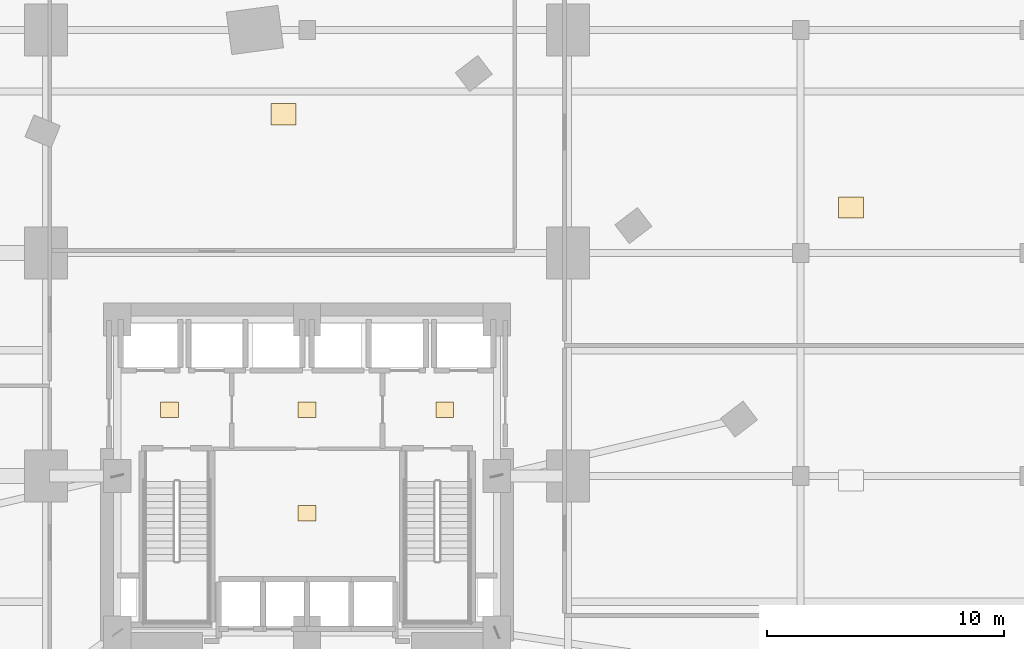
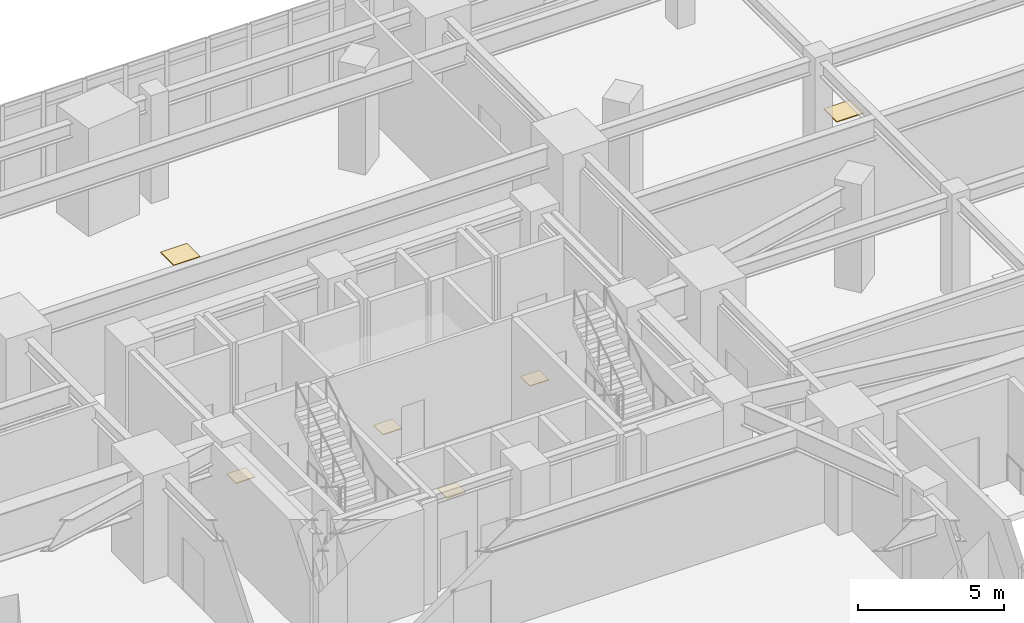
# One storey, part 20 of 20: 6 coverings.
"""IFC4 building model written with IfcOpenShell, lengths in metres."""

from ifc_helpers import new_model, si_unit, direction, frame, origin, origin_2d, place, context, subcontext, project, spatial, rectangle, extrude, material, layer, layer_set, type_object, element, save


model = new_model("IFC4")

# Units and contexts
model_context = context("Model", 3, precision=1e-05, world=origin(), true_north=direction((0.0, 1.0)))
body_context = subcontext(model_context, "Body", "Model", "MODEL_VIEW")
ifc_project = project(units=[si_unit("LENGTHUNIT", "METRE"), si_unit("AREAUNIT", "SQUARE_METRE"), si_unit("VOLUMEUNIT", "CUBIC_METRE"), si_unit("PLANEANGLEUNIT", "RADIAN"), si_unit("MASSUNIT", "GRAM", prefix="KILO")], contexts=[model_context])

# Site, building, storey
site_placement = place(None, origin())
site = spatial("IfcSite", under=ifc_project, at=site_placement, CompositionType="ELEMENT")
building_placement = place(site_placement, origin())
building = spatial("IfcBuilding", under=site, at=building_placement, Name="Ndelora Gate Hotel", CompositionType="ELEMENT")
storey_placement = place(building_placement, frame((0.0, 0.0, 26.0)))
storey = spatial("IfcBuildingStorey", under=building, at=storey_placement, Name="L05", CompositionType="ELEMENT", Elevation=26.0)

# Coverings
ifc_material_1 = material(Name="Engineered Highland Oak Parquet", Category="wood")
ifc_layer_1 = layer(ifc_material_1, 0.030029296875)
ifc_layer_set_1 = layer_set([ifc_layer_1], Name="Engineered Highland Oak Parquet")
covering_type_1 = type_object("IfcCoveringType", Name="COV-FLR-PARQ", PredefinedType="FLOORING", material=ifc_layer_set_1)
for number, where, z_axis, x_axis, name in (
    (1, (22.925048828125, 11.318603515625, 0.0), (0.0, 0.0, 1.0), (1.0, 0.0, 0.0), "L05 Podium Conservatory Tea Salon Oak Parquet Flooring"),
    (2, (-1.0, 15.25, 0.0), (0.0, 0.0, 1.0), (1.0, 0.0, 0.0), "L05 Conference Delegate Salon Oak Parquet Flooring"),
):
    element("IfcCovering", number, at=place(storey_placement, frame(where, z_axis=z_axis, x_axis=x_axis)), inside=storey, type_object=covering_type_1, Name=name, PredefinedType="FLOORING", context=body_context, shape_type="SweptSolid", body=[
        extrude(rectangle(XDim=1.050048828125, YDim=0.89990234375, at=origin_2d()), origin(), (0.0, 0.0, 1.0), 0.030029296875),
    ])
ifc_material_2 = material(Name="Non-Slip Porcelain Wet-Room Tile", Category="ceramic")
ifc_layer_2 = layer(ifc_material_2, 0.02490234375)
ifc_layer_set_2 = layer_set([ifc_layer_2], Name="Non-Slip Porcelain Wet-Room Tile")
covering_type_2 = type_object("IfcCoveringType", Name="COV-FLR-TILE", PredefinedType="FLOORING", material=ifc_layer_set_2)
for number, where, z_axis, x_axis, name in (
    (3, (-5.800048828125, 2.800048828125, 0.0), (0.0, 0.0, 1.0), (1.0, 0.0, 0.0), "L05 Firefighting Lift Lobby West Porcelain Tile Flooring"),
    (4, (5.800048828125, 2.800048828125, 0.0), (0.0, 0.0, 1.0), (1.0, 0.0, 0.0), "L05 Firefighting Lift Lobby East Porcelain Tile Flooring"),
    (5, (0.0, 2.800048828125, 0.0), (0.0, 0.0, 1.0), (1.0, 0.0, 0.0), "L05 Central Passenger Lift Lobby Porcelain Tile Flooring"),
    (6, (0.0, -1.574951171875, 0.0), (0.0, 0.0, 1.0), (1.0, 0.0, 0.0), "L05 Core Electrical and Linen Service Store Porcelain Tile Flooring"),
):
    element("IfcCovering", number, at=place(storey_placement, frame(where, z_axis=z_axis, x_axis=x_axis)), inside=storey, type_object=covering_type_2, Name=name, PredefinedType="FLOORING", context=body_context, shape_type="SweptSolid", body=[
        extrude(rectangle(XDim=0.75, YDim=0.64990234375, at=origin_2d()), origin(), (0.0, 0.0, 1.0), 0.02490234375),
    ])

save(model, "model.ifc")
